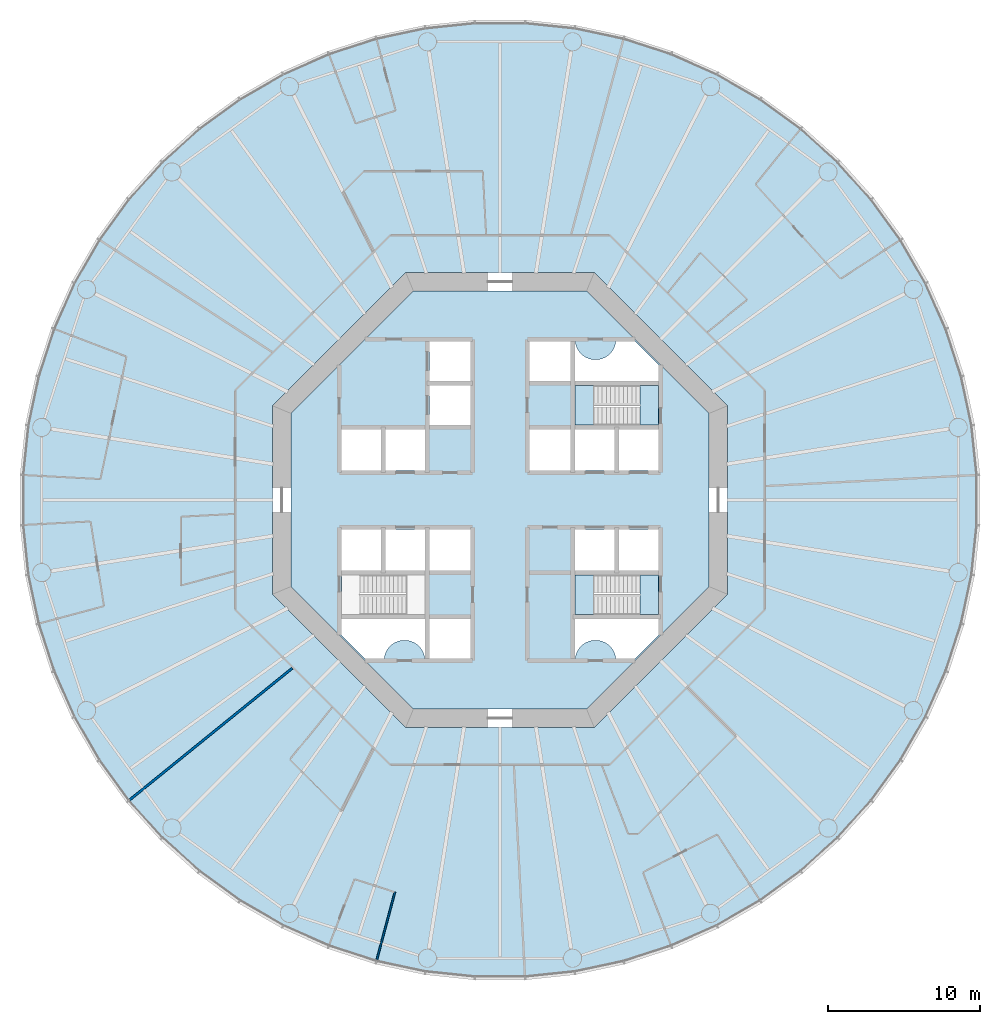
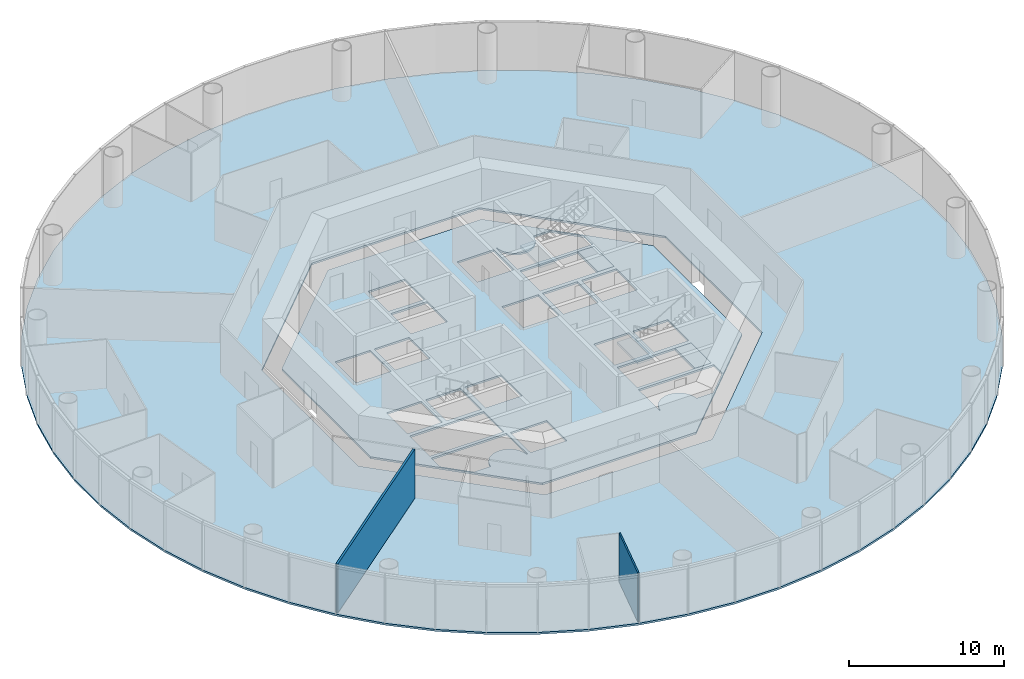
# One storey, part 2 of 13: 6 slabs, 2 walls, 2 elements without a shape of their own.
"""IFC4 building model written with IfcOpenShell, lengths in metres."""

from ifc_helpers import new_model, si_unit, direction, frame, frame_2d, origin, place, context, subcontext, project, spatial, polyline, rectangle, outline, extrude, material, layer, layer_set, type_object, element, aggregate, save


model = new_model("IFC4")

# Units and contexts
model_context = context("Model", 3, precision=1e-05, world=origin(), true_north=direction((0.0, 1.0)))
body_context = subcontext(model_context, "Body", "Model", "MODEL_VIEW")
ifc_project = project(units=[si_unit("LENGTHUNIT", "METRE"), si_unit("AREAUNIT", "SQUARE_METRE"), si_unit("VOLUMEUNIT", "CUBIC_METRE"), si_unit("PLANEANGLEUNIT", "RADIAN"), si_unit("MASSUNIT", "GRAM", prefix="KILO")], contexts=[model_context])

# Site, building, storey
site_placement = place(None, origin())
site = spatial("IfcSite", under=ifc_project, at=site_placement, CompositionType="ELEMENT")
building_placement = place(site_placement, origin())
building = spatial("IfcBuilding", under=site, at=building_placement, Name="Entoto Ring Tower", CompositionType="ELEMENT")
storey_placement = place(building_placement, frame((0.0, 0.0, 100.0)))
storey = spatial("IfcBuildingStorey", under=building, at=storey_placement, Name="L22", CompositionType="ELEMENT", Elevation=100.0)

# Slabs
ifc_material_1 = material(Name="Concrete C30/37", Category="concrete")
ifc_layer_1 = layer(ifc_material_1, 0.14990234375)
ifc_layer_set_1 = layer_set([ifc_layer_1], Name="Concrete C30/37")
slab_type_1 = type_object("IfcSlabType", Name="Composite floor slab 150 mm", PredefinedType="FLOOR", material=ifc_layer_set_1)
slab_1_placement = place(storey_placement, frame((0.0, 0.0, -0.14990234375)))
element("IfcSlab", 1, at=slab_1_placement, inside=storey, type_object=slab_type_1, Name="Floor slab L22", PredefinedType="FLOOR", context=body_context, shape_type="SweptSolid", body=[
    extrude(outline(polyline([(121.2109375, 84.943359375), (120.523193359375, 88.1787109375), (119.501220703125, 91.324462890625), (118.15576171875, 94.34619140625), (116.501953125, 97.210693359375), (114.557861328125, 99.886474609375), (112.344482421875, 102.344482421875), (109.886474609375, 104.557861328125), (107.210693359375, 106.501953125), (104.34619140625, 108.15576171875), (101.324462890625, 109.501220703125), (98.1787109375, 110.523193359375), (94.943359375, 111.2109375), (91.65380859375, 111.556640625), (88.34619140625, 111.556640625), (85.056640625, 111.2109375), (81.8212890625, 110.523193359375), (78.675537109375, 109.501220703125), (75.65380859375, 108.15576171875), (72.789306640625, 106.501953125), (70.113525390625, 104.557861328125), (67.655517578125, 102.344482421875), (65.442138671875, 99.886474609375), (63.498046875, 97.210693359375), (61.84423828125, 94.34619140625), (60.498779296875, 91.324462890625), (59.476806640625, 88.1787109375), (58.7890625, 84.943359375), (58.443359375, 81.65380859375), (58.443359375, 78.34619140625), (58.7890625, 75.056640625), (59.476806640625, 71.8212890625), (60.498779296875, 68.675537109375), (61.84423828125, 65.65380859375), (63.498046875, 62.789306640625), (65.442138671875, 60.113525390625), (67.655517578125, 57.655517578125), (70.113525390625, 55.442138671875), (72.789306640625, 53.498046875), (75.65380859375, 51.84423828125), (78.675537109375, 50.498779296875), (81.8212890625, 49.476806640625), (85.056640625, 48.7890625), (88.34619140625, 48.443359375), (91.65380859375, 48.443359375), (94.943359375, 48.7890625), (98.1787109375, 49.476806640625), (101.324462890625, 50.498779296875), (104.34619140625, 51.84423828125), (107.210693359375, 53.498046875), (109.886474609375, 55.442138671875), (112.344482421875, 57.655517578125), (114.557861328125, 60.113525390625), (116.501953125, 62.789306640625), (118.15576171875, 65.65380859375), (119.501220703125, 68.675537109375), (120.523193359375, 71.8212890625), (121.2109375, 75.056640625), (121.556640625, 78.34619140625), (121.556640625, 81.65380859375), (121.2109375, 84.943359375)]), holes=[polyline([(105.0, 73.786865234375), (105.0, 86.213134765625), (96.213134765625, 95.0), (83.786865234375, 95.0), (75.0, 86.213134765625), (75.0, 73.786865234375), (83.786865234375, 65.0), (96.213134765625, 65.0), (105.0, 73.786865234375)])]), origin(), (0.0, 0.0, 1.0), 0.14990234375),
])
ifc_material_2 = material(Name="Concrete C40/50", Category="concrete")
ifc_layer_2 = layer(ifc_material_2, 0.14990234375)
ifc_layer_set_2 = layer_set([ifc_layer_2], Name="Concrete C40/50")
slab_type_2 = type_object("IfcSlabType", Name="Core floor slab 150 mm reinforced concrete C40/50", PredefinedType="FLOOR", material=ifc_layer_set_2)
slab_2_placement = place(storey_placement, frame((0.0, 0.0, -0.14990234375)))
element("IfcSlab", 2, at=slab_2_placement, inside=storey, type_object=slab_type_2, Name="Core floor L22", PredefinedType="FLOOR", context=body_context, shape_type="SweptSolid", body=[
    extrude(outline(polyline([(103.800048828125, 74.283935546875), (103.800048828125, 85.716064453125), (95.716064453125, 93.800048828125), (84.283935546875, 93.800048828125), (76.199951171875, 85.716064453125), (76.199951171875, 74.283935546875), (84.283935546875, 66.199951171875), (95.716064453125, 66.199951171875), (103.800048828125, 74.283935546875)]), holes=[polyline([(100.449951171875, 84.949951171875), (100.449951171875, 87.550048828125), (94.949951171875, 87.550048828125), (94.949951171875, 84.949951171875), (100.449951171875, 84.949951171875)]), polyline([(85.050048828125, 72.449951171875), (85.050048828125, 75.050048828125), (79.550048828125, 75.050048828125), (79.550048828125, 72.449951171875), (85.050048828125, 72.449951171875)]), polyline([(100.449951171875, 72.449951171875), (100.449951171875, 75.050048828125), (94.949951171875, 75.050048828125), (94.949951171875, 72.449951171875), (100.449951171875, 72.449951171875)]), polyline([(94.949951171875, 81.949951171875), (97.550048828125, 81.949951171875), (97.550048828125, 84.64990234375), (94.949951171875, 84.64990234375), (94.949951171875, 81.949951171875)]), polyline([(97.85009765625, 81.949951171875), (100.449951171875, 81.949951171875), (100.449951171875, 84.64990234375), (97.85009765625, 84.64990234375), (97.85009765625, 81.949951171875)]), polyline([(82.449951171875, 81.949951171875), (85.050048828125, 81.949951171875), (85.050048828125, 84.64990234375), (82.449951171875, 84.64990234375), (82.449951171875, 81.949951171875)]), polyline([(94.949951171875, 75.35009765625), (97.550048828125, 75.35009765625), (97.550048828125, 78.050048828125), (94.949951171875, 78.050048828125), (94.949951171875, 75.35009765625)]), polyline([(97.85009765625, 75.35009765625), (100.449951171875, 75.35009765625), (100.449951171875, 78.050048828125), (97.85009765625, 78.050048828125), (97.85009765625, 75.35009765625)]), polyline([(82.449951171875, 75.35009765625), (85.050048828125, 75.35009765625), (85.050048828125, 78.050048828125), (82.449951171875, 78.050048828125), (82.449951171875, 75.35009765625)]), polyline([(79.550048828125, 81.949951171875), (82.14990234375, 81.949951171875), (82.14990234375, 84.64990234375), (79.550048828125, 84.64990234375), (79.550048828125, 81.949951171875)]), polyline([(79.550048828125, 75.35009765625), (82.14990234375, 75.35009765625), (82.14990234375, 78.050048828125), (79.550048828125, 78.050048828125), (79.550048828125, 75.35009765625)]), polyline([(91.949951171875, 87.85009765625), (94.64990234375, 87.85009765625), (94.64990234375, 90.449951171875), (91.949951171875, 90.449951171875), (91.949951171875, 87.85009765625)]), polyline([(85.35009765625, 69.550048828125), (88.050048828125, 69.550048828125), (88.050048828125, 72.14990234375), (85.35009765625, 72.14990234375), (85.35009765625, 69.550048828125)]), polyline([(91.949951171875, 81.949951171875), (94.64990234375, 81.949951171875), (94.64990234375, 84.64990234375), (91.949951171875, 84.64990234375), (91.949951171875, 81.949951171875)]), polyline([(85.35009765625, 75.35009765625), (88.050048828125, 75.35009765625), (88.050048828125, 78.050048828125), (85.35009765625, 78.050048828125), (85.35009765625, 75.35009765625)]), polyline([(85.35009765625, 84.949951171875), (88.050048828125, 84.949951171875), (88.050048828125, 87.550048828125), (85.35009765625, 87.550048828125), (85.35009765625, 84.949951171875)]), polyline([(85.35009765625, 87.85009765625), (88.050048828125, 87.85009765625), (88.050048828125, 90.449951171875), (85.35009765625, 90.449951171875), (85.35009765625, 87.85009765625)]), polyline([(94.89990234375, 90.5), (94.89990234375, 87.800048828125), (100.5, 87.800048828125), (100.5, 88.874755859375), (98.874755859375, 90.5), (97.64501953125, 90.5), (97.6435546875, 90.4677734375), (97.6240234375, 90.336669921875), (97.591796875, 90.2080078125), (97.547119140625, 90.08349609375), (97.490478515625, 89.963623046875), (97.422607421875, 89.85009765625), (97.343505859375, 89.74365234375), (97.254638671875, 89.6455078125), (97.156494140625, 89.556396484375), (97.050048828125, 89.4775390625), (96.936279296875, 89.409423828125), (96.816650390625, 89.352783203125), (96.69189453125, 89.30810546875), (96.5634765625, 89.27587890625), (96.432373046875, 89.256591796875), (96.300048828125, 89.25), (96.167724609375, 89.256591796875), (96.03662109375, 89.27587890625), (95.908203125, 89.30810546875), (95.783447265625, 89.352783203125), (95.66357421875, 89.409423828125), (95.550048828125, 89.4775390625), (95.443603515625, 89.556396484375), (95.345458984375, 89.6455078125), (95.25634765625, 89.74365234375), (95.177490234375, 89.85009765625), (95.109375, 89.963623046875), (95.052734375, 90.08349609375), (95.008056640625, 90.2080078125), (94.975830078125, 90.336669921875), (94.95654296875, 90.4677734375), (94.954833984375, 90.5), (94.89990234375, 90.5)]), polyline([(79.5, 71.125244140625), (81.125244140625, 69.5), (82.35498046875, 69.5), (82.3564453125, 69.5322265625), (82.3759765625, 69.663330078125), (82.408203125, 69.7919921875), (82.452880859375, 69.91650390625), (82.509521484375, 70.036376953125), (82.577392578125, 70.14990234375), (82.656494140625, 70.25634765625), (82.745361328125, 70.3544921875), (82.843505859375, 70.443603515625), (82.949951171875, 70.5224609375), (83.063720703125, 70.590576171875), (83.183349609375, 70.647216796875), (83.30810546875, 70.69189453125), (83.4365234375, 70.72412109375), (83.567626953125, 70.743408203125), (83.699951171875, 70.75), (83.832275390625, 70.743408203125), (83.96337890625, 70.72412109375), (84.091796875, 70.69189453125), (84.216552734375, 70.647216796875), (84.33642578125, 70.590576171875), (84.449951171875, 70.5224609375), (84.556396484375, 70.443603515625), (84.654541015625, 70.3544921875), (84.74365234375, 70.25634765625), (84.822509765625, 70.14990234375), (84.890625, 70.036376953125), (84.947265625, 69.91650390625), (84.991943359375, 69.7919921875), (85.024169921875, 69.663330078125), (85.04345703125, 69.5322265625), (85.045166015625, 69.5), (85.10009765625, 69.5), (85.10009765625, 72.199951171875), (79.5, 72.199951171875), (79.5, 71.125244140625)]), polyline([(97.64501953125, 69.5), (98.874755859375, 69.5), (100.5, 71.125244140625), (100.5, 72.199951171875), (94.89990234375, 72.199951171875), (94.89990234375, 69.5), (94.954833984375, 69.5), (94.95654296875, 69.5322265625), (94.975830078125, 69.663330078125), (95.008056640625, 69.7919921875), (95.052734375, 69.91650390625), (95.109375, 70.036376953125), (95.177490234375, 70.14990234375), (95.25634765625, 70.25634765625), (95.345458984375, 70.3544921875), (95.443603515625, 70.443603515625), (95.550048828125, 70.5224609375), (95.66357421875, 70.590576171875), (95.783447265625, 70.647216796875), (95.908203125, 70.69189453125), (96.03662109375, 70.72412109375), (96.167724609375, 70.743408203125), (96.300048828125, 70.75), (96.432373046875, 70.743408203125), (96.5634765625, 70.72412109375), (96.69189453125, 70.69189453125), (96.816650390625, 70.647216796875), (96.936279296875, 70.590576171875), (97.050048828125, 70.5224609375), (97.156494140625, 70.443603515625), (97.254638671875, 70.3544921875), (97.343505859375, 70.25634765625), (97.422607421875, 70.14990234375), (97.490478515625, 70.036376953125), (97.547119140625, 69.91650390625), (97.591796875, 69.7919921875), (97.6240234375, 69.663330078125), (97.6435546875, 69.5322265625), (97.64501953125, 69.5)])]), origin(), (0.0, 0.0, 1.0), 0.14990234375),
])

# Stair, slabs
ifc_material_3 = material(Name="Concrete C40/50", Category="concrete")
stair_type = type_object("IfcStairType", Name="Exit stair 1200 mm dog-leg reinforced concrete", PredefinedType="HALF_TURN_STAIR", material=ifc_material_3)
stair_1_placement = place(storey_placement, origin())
stair_1 = element("IfcStair", 3, at=stair_1_placement, inside=storey, type_object=stair_type, Name="Exit stair 1", PredefinedType="HALF_TURN_STAIR")
ifc_material_4 = material(Name="Concrete C40/50", Category="concrete")
ifc_layer_3 = layer(ifc_material_4, 0.199951171875)
ifc_layer_set_3 = layer_set([ifc_layer_3], Name="Concrete C40/50")
slab_type_3 = type_object("IfcSlabType", Name="Stair landing 200 mm reinforced concrete", PredefinedType="LANDING", material=ifc_layer_set_3)
slab_3_placement = place(storey_placement, frame((0.0, 0.0, -0.199951171875)))
slab_3 = element("IfcSlab", 4, at=slab_3_placement, type_object=slab_type_3, Name="ST1 landing 1", PredefinedType="LANDING", context=body_context, shape_type="SweptSolid", body=[
    extrude(outline(polyline([(100.449951171875, 84.949951171875), (100.449951171875, 87.550048828125), (99.25, 87.550048828125), (99.25, 84.949951171875), (100.449951171875, 84.949951171875)])), origin(), (0.0, 0.0, 1.0), 0.199951171875),
])
slab_4_placement = place(storey_placement, frame((0.0, 0.0, 1.800048828125)))
slab_4 = element("IfcSlab", 5, at=slab_4_placement, type_object=slab_type_3, Name="ST1 landing 2", PredefinedType="LANDING", context=body_context, shape_type="SweptSolid", body=[
    extrude(outline(polyline([(94.949951171875, 84.949951171875), (96.169921875, 84.949951171875), (96.169921875, 87.550048828125), (94.949951171875, 87.550048828125), (94.949951171875, 84.949951171875)])), origin(), (0.0, 0.0, 1.0), 0.199951171875),
])
aggregate(stair_1, [slab_3, slab_4])

stair_2_placement = place(storey_placement, origin())
stair_2 = element("IfcStair", 6, at=stair_2_placement, inside=storey, type_object=stair_type, Name="Exit stair 3", PredefinedType="HALF_TURN_STAIR")
slab_5_placement = place(storey_placement, frame((0.0, 0.0, -0.199951171875)))
slab_5 = element("IfcSlab", 7, at=slab_5_placement, type_object=slab_type_3, Name="ST3 landing 1", PredefinedType="LANDING", context=body_context, shape_type="SweptSolid", body=[
    extrude(outline(polyline([(100.449951171875, 72.449951171875), (100.449951171875, 75.050048828125), (99.25, 75.050048828125), (99.25, 72.449951171875), (100.449951171875, 72.449951171875)])), origin(), (0.0, 0.0, 1.0), 0.199951171875),
])
slab_6_placement = place(storey_placement, frame((0.0, 0.0, 1.800048828125)))
slab_6 = element("IfcSlab", 8, at=slab_6_placement, type_object=slab_type_3, Name="ST3 landing 2", PredefinedType="LANDING", context=body_context, shape_type="SweptSolid", body=[
    extrude(outline(polyline([(94.949951171875, 72.449951171875), (96.169921875, 72.449951171875), (96.169921875, 75.050048828125), (94.949951171875, 75.050048828125), (94.949951171875, 72.449951171875)])), origin(), (0.0, 0.0, 1.0), 0.199951171875),
])
aggregate(stair_2, [slab_5, slab_6])

# Walls
ifc_material_5 = material(Name="Plasterboard on steel studs", Category="steel")
ifc_layer_4 = layer(ifc_material_5, 0.10009765625)
ifc_layer_set_4 = layer_set([ifc_layer_4], Name="Plasterboard on steel studs")
wall_type_1 = type_object("IfcWallType", Name="Partition 100 mm plasterboard on steel studs", PredefinedType="PARTITIONING", material=ifc_layer_set_4)
wall_1_placement = place(storey_placement, frame((81.86279296875, 49.63134765625, 0.0), z_axis=(0.0, 0.0, 1.0), x_axis=(0.258810282601, 0.965928174152, 0.0)))
element("IfcWall", 9, at=wall_1_placement, inside=storey, type_object=wall_type_1, Name="partition-L22-032", PredefinedType="PARTITIONING", context=body_context, shape_type="SweptSolid", body=[
    extrude(rectangle(XDim=4.659912109375, YDim=0.10009765625, at=frame_2d((2.330078125, 0.0))), origin(), (0.0, 0.0, 1.0), 3.85009765625),
])
ifc_material_6 = material(Name="Fire-resisting acoustic plasterboard on steel studs", Category="steel")
ifc_layer_5 = layer(ifc_material_6, 0.14990234375)
ifc_layer_set_5 = layer_set([ifc_layer_5], Name="Fire-resisting acoustic plasterboard on steel studs")
wall_type_2 = type_object("IfcWallType", Name="Party wall 150 mm one-hour acoustic plasterboard on steel studs", PredefinedType="PARTITIONING", material=ifc_layer_set_5)
wall_2_placement = place(storey_placement, frame((65.56640625, 60.214111328125, 0.0), z_axis=(0.0, 0.0, 1.0), x_axis=(0.777143589664, 0.629323319959, 0.0)))
element("IfcWall", 10, at=wall_2_placement, inside=storey, type_object=wall_type_2, Name="partition-L22-011", PredefinedType="PARTITIONING", context=body_context, shape_type="SweptSolid", body=[
    extrude(rectangle(XDim=13.810791015625, YDim=0.14990234375, at=frame_2d((6.9052734375, 0.0))), origin(), (0.0, 0.0, 1.0), 3.85009765625),
])

save(model, "model.ifc")
